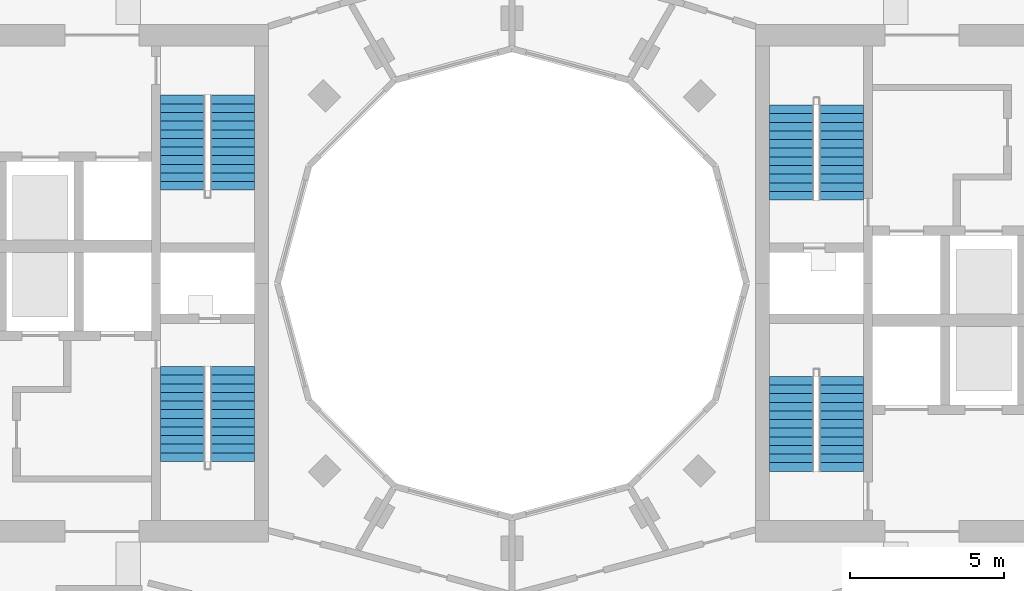
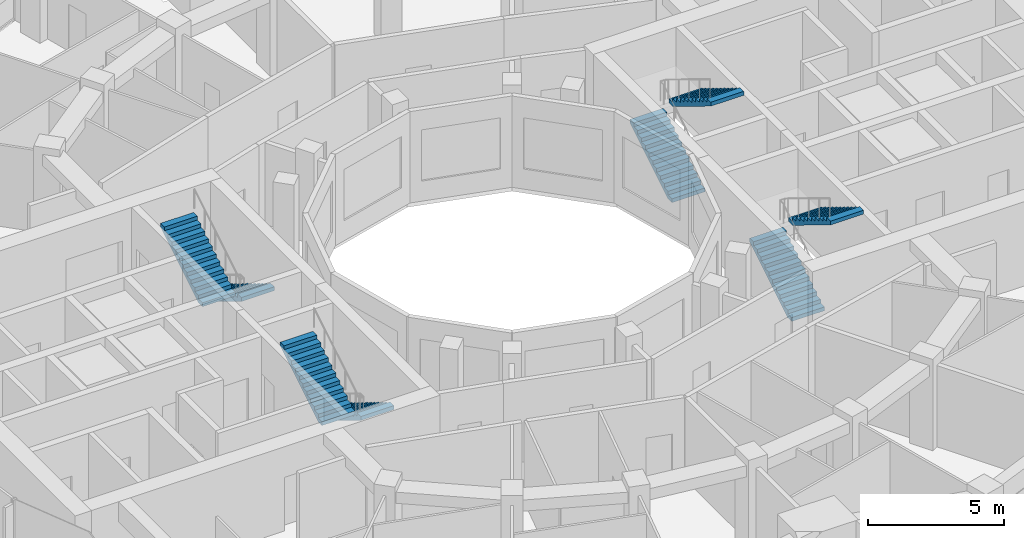
# One storey, part 13 of 15: 8 stair flights, 4 elements without a shape of their own.
"""IFC4 building model written with IfcOpenShell, lengths in metres."""

from ifc_helpers import new_model, si_unit, direction, frame, origin, place, context, subcontext, project, spatial, polyline, outline, extrude, material, layer, layer_set, type_object, element, aggregate, save


model = new_model("IFC4")

# Units and contexts
model_context = context("Model", 3, precision=1e-05, world=origin(), true_north=direction((0.0, 1.0)))
body_context = subcontext(model_context, "Body", "Model", "MODEL_VIEW")
ifc_project = project(units=[si_unit("LENGTHUNIT", "METRE"), si_unit("AREAUNIT", "SQUARE_METRE"), si_unit("VOLUMEUNIT", "CUBIC_METRE"), si_unit("PLANEANGLEUNIT", "RADIAN"), si_unit("MASSUNIT", "GRAM", prefix="KILO")], contexts=[model_context])

# Site, building, storey
site_placement = place(None, origin())
site = spatial("IfcSite", under=ifc_project, at=site_placement, CompositionType="ELEMENT")
building_placement = place(site_placement, origin())
building = spatial("IfcBuilding", under=site, at=building_placement, Name="Torre Brocal", CompositionType="ELEMENT")
storey_placement = place(building_placement, frame((0.0, 0.0, 161.800048828125)))
storey = spatial("IfcBuildingStorey", under=building, at=storey_placement, Name="L37", CompositionType="ELEMENT", Elevation=161.800048828125)

# Stair, stair flights
ifc_material_1 = material(Name="Concrete C50", Category="concrete")
stair_type = type_object("IfcStairType", Name="EXIT STAIR", PredefinedType="HALF_TURN_STAIR", material=ifc_material_1)
stair_1_placement = place(storey_placement, origin())
stair_1 = element("IfcStair", 1, at=stair_1_placement, inside=storey, type_object=stair_type, Name="EXIT STAIR ST1", PredefinedType="HALF_TURN_STAIR")
ifc_material_2 = material(Name="Concrete C50", Category="concrete")
ifc_layer = layer(ifc_material_2, 0.14990234375)
ifc_layer_set = layer_set([ifc_layer], Name="Concrete C50")
stair_flight_type = type_object("IfcStairFlightType", Name="STAIR FLIGHT", PredefinedType="STRAIGHT", material=ifc_layer_set)
stair_flight_1_placement = place(storey_placement, frame((89.050048828125, 77.699951171875, 0.0), z_axis=(0.0, 0.0, 1.0), x_axis=(0.0, 1.0, 0.0)))
stair_flight_1 = element("IfcStairFlight", 2, at=stair_flight_1_placement, type_object=stair_flight_type, Name="ST1 flight 1", NumberOfRisers=12, NumberOfTreads=11, PredefinedType="STRAIGHT", RiserHeight=0.170833333, TreadLength=0.28, context=body_context, shape_type="SweptSolid", body=[
    extrude(outline(polyline([(0.0, 0.0), (0.0, 0.1708984375), (0.280029296875, 0.1708984375), (0.280029296875, 0.341552734375), (0.56005859375, 0.341552734375), (0.56005859375, 0.512451171875), (0.840087890625, 0.512451171875), (0.840087890625, 0.683349609375), (1.1201171875, 0.683349609375), (1.1201171875, 0.854248046875), (1.39990234375, 0.854248046875), (1.39990234375, 1.02490234375), (1.679931640625, 1.02490234375), (1.679931640625, 1.19580078125), (1.9599609375, 1.19580078125), (1.9599609375, 1.36669921875), (2.239990234375, 1.36669921875), (2.239990234375, 1.53759765625), (2.52001953125, 1.53759765625), (2.52001953125, 1.708251953125), (2.800048828125, 1.708251953125), (2.800048828125, 1.879150390625), (3.080078125, 1.879150390625), (3.080078125, 2.050048828125), (3.080078125, 1.70361328125), (0.287841796875, 0.0), (0.0, 0.0)])), frame((0.0, 0.699951171875, 0.0), z_axis=(0.0, -1.0, 0.0), x_axis=(1.0, 0.0, 0.0)), (0.0, 0.0, 1.0), 1.39990234375),
])
stair_flight_2_placement = place(storey_placement, frame((90.699951171875, 80.780029296875, 2.050048828125), z_axis=(0.0, 0.0, 1.0), x_axis=(0.0, -1.0, 0.0)))
stair_flight_2 = element("IfcStairFlight", 3, at=stair_flight_2_placement, type_object=stair_flight_type, Name="ST1 flight 2", NumberOfRisers=12, NumberOfTreads=11, PredefinedType="STRAIGHT", RiserHeight=0.170833333, TreadLength=0.28, context=body_context, shape_type="SweptSolid", body=[
    extrude(outline(polyline([(0.0, 0.0), (0.0, 0.1708984375), (0.280029296875, 0.1708984375), (0.280029296875, 0.341552734375), (0.56005859375, 0.341552734375), (0.56005859375, 0.512451171875), (0.840087890625, 0.512451171875), (0.840087890625, 0.683349609375), (1.1201171875, 0.683349609375), (1.1201171875, 0.854248046875), (1.39990234375, 0.854248046875), (1.39990234375, 1.02490234375), (1.679931640625, 1.02490234375), (1.679931640625, 1.19580078125), (1.9599609375, 1.19580078125), (1.9599609375, 1.36669921875), (2.239990234375, 1.36669921875), (2.239990234375, 1.53759765625), (2.52001953125, 1.53759765625), (2.52001953125, 1.708251953125), (2.800048828125, 1.708251953125), (2.800048828125, 1.879150390625), (3.080078125, 1.879150390625), (3.080078125, 2.050048828125), (3.080078125, 1.70361328125), (0.287841796875, 0.0), (0.0, 0.0)])), frame((0.0, 0.699951171875, 0.0), z_axis=(0.0, -1.0, 0.0), x_axis=(1.0, 0.0, 0.0)), (0.0, 0.0, 1.0), 1.39990234375),
])
aggregate(stair_1, [stair_flight_1, stair_flight_2])

stair_2_placement = place(storey_placement, origin())
stair_2 = element("IfcStair", 4, at=stair_2_placement, inside=storey, type_object=stair_type, Name="EXIT STAIR ST2", PredefinedType="HALF_TURN_STAIR")
stair_flight_3_placement = place(storey_placement, frame((89.050048828125, 68.89990234375, 0.0), z_axis=(0.0, 0.0, 1.0), x_axis=(0.0, 1.0, 0.0)))
stair_flight_3 = element("IfcStairFlight", 5, at=stair_flight_3_placement, type_object=stair_flight_type, Name="ST2 flight 1", NumberOfRisers=12, NumberOfTreads=11, PredefinedType="STRAIGHT", RiserHeight=0.170833333, TreadLength=0.28, context=body_context, shape_type="SweptSolid", body=[
    extrude(outline(polyline([(0.0, 0.0), (0.0, 0.1708984375), (0.280029296875, 0.1708984375), (0.280029296875, 0.341552734375), (0.56005859375, 0.341552734375), (0.56005859375, 0.512451171875), (0.840087890625, 0.512451171875), (0.840087890625, 0.683349609375), (1.1201171875, 0.683349609375), (1.1201171875, 0.854248046875), (1.39990234375, 0.854248046875), (1.39990234375, 1.02490234375), (1.679931640625, 1.02490234375), (1.679931640625, 1.19580078125), (1.9599609375, 1.19580078125), (1.9599609375, 1.36669921875), (2.239990234375, 1.36669921875), (2.239990234375, 1.53759765625), (2.52001953125, 1.53759765625), (2.52001953125, 1.708251953125), (2.800048828125, 1.708251953125), (2.800048828125, 1.879150390625), (3.080078125, 1.879150390625), (3.080078125, 2.050048828125), (3.080078125, 1.70361328125), (0.287841796875, 0.0), (0.0, 0.0)])), frame((0.0, 0.699951171875, 0.0), z_axis=(0.0, -1.0, 0.0), x_axis=(1.0, 0.0, 0.0)), (0.0, 0.0, 1.0), 1.39990234375),
])
stair_flight_4_placement = place(storey_placement, frame((90.699951171875, 71.97998046875, 2.050048828125), z_axis=(0.0, 0.0, 1.0), x_axis=(0.0, -1.0, 0.0)))
stair_flight_4 = element("IfcStairFlight", 6, at=stair_flight_4_placement, type_object=stair_flight_type, Name="ST2 flight 2", NumberOfRisers=12, NumberOfTreads=11, PredefinedType="STRAIGHT", RiserHeight=0.170833333, TreadLength=0.28, context=body_context, shape_type="SweptSolid", body=[
    extrude(outline(polyline([(0.0, 0.0), (0.0, 0.1708984375), (0.280029296875, 0.1708984375), (0.280029296875, 0.341552734375), (0.56005859375, 0.341552734375), (0.56005859375, 0.512451171875), (0.840087890625, 0.512451171875), (0.840087890625, 0.683349609375), (1.1201171875, 0.683349609375), (1.1201171875, 0.854248046875), (1.39990234375, 0.854248046875), (1.39990234375, 1.02490234375), (1.679931640625, 1.02490234375), (1.679931640625, 1.19580078125), (1.9599609375, 1.19580078125), (1.9599609375, 1.36669921875), (2.239990234375, 1.36669921875), (2.239990234375, 1.53759765625), (2.52001953125, 1.53759765625), (2.52001953125, 1.708251953125), (2.800048828125, 1.708251953125), (2.800048828125, 1.879150390625), (3.080078125, 1.879150390625), (3.080078125, 2.050048828125), (3.080078125, 1.70361328125), (0.287841796875, 0.0), (0.0, 0.0)])), frame((0.0, 0.699951171875, 0.0), z_axis=(0.0, -1.0, 0.0), x_axis=(1.0, 0.0, 0.0)), (0.0, 0.0, 1.0), 1.39990234375),
])
aggregate(stair_2, [stair_flight_3, stair_flight_4])

stair_3_placement = place(storey_placement, origin())
stair_3 = element("IfcStair", 7, at=stair_3_placement, inside=storey, type_object=stair_type, Name="EXIT STAIR ST3", PredefinedType="HALF_TURN_STAIR")
stair_flight_5_placement = place(storey_placement, frame((70.949951171875, 72.300048828125, 0.0), z_axis=(0.0, 0.0, 1.0), x_axis=(0.0, -1.0, 0.0)))
stair_flight_5 = element("IfcStairFlight", 8, at=stair_flight_5_placement, type_object=stair_flight_type, Name="ST3 flight 1", NumberOfRisers=12, NumberOfTreads=11, PredefinedType="STRAIGHT", RiserHeight=0.170833333, TreadLength=0.28, context=body_context, shape_type="SweptSolid", body=[
    extrude(outline(polyline([(0.0, 0.0), (0.0, 0.1708984375), (0.280029296875, 0.1708984375), (0.280029296875, 0.341552734375), (0.56005859375, 0.341552734375), (0.56005859375, 0.512451171875), (0.840087890625, 0.512451171875), (0.840087890625, 0.683349609375), (1.1201171875, 0.683349609375), (1.1201171875, 0.854248046875), (1.39990234375, 0.854248046875), (1.39990234375, 1.02490234375), (1.679931640625, 1.02490234375), (1.679931640625, 1.19580078125), (1.9599609375, 1.19580078125), (1.9599609375, 1.36669921875), (2.239990234375, 1.36669921875), (2.239990234375, 1.53759765625), (2.52001953125, 1.53759765625), (2.52001953125, 1.708251953125), (2.800048828125, 1.708251953125), (2.800048828125, 1.879150390625), (3.080078125, 1.879150390625), (3.080078125, 2.050048828125), (3.080078125, 1.70361328125), (0.287841796875, 0.0), (0.0, 0.0)])), frame((0.0, 0.699951171875, 0.0), z_axis=(0.0, -1.0, 0.0), x_axis=(1.0, 0.0, 0.0)), (0.0, 0.0, 1.0), 1.39990234375),
])
stair_flight_6_placement = place(storey_placement, frame((69.300048828125, 69.219970703125, 2.050048828125), z_axis=(0.0, 0.0, 1.0), x_axis=(0.0, 1.0, 0.0)))
stair_flight_6 = element("IfcStairFlight", 9, at=stair_flight_6_placement, type_object=stair_flight_type, Name="ST3 flight 2", NumberOfRisers=12, NumberOfTreads=11, PredefinedType="STRAIGHT", RiserHeight=0.170833333, TreadLength=0.28, context=body_context, shape_type="SweptSolid", body=[
    extrude(outline(polyline([(0.0, 0.0), (0.0, 0.1708984375), (0.280029296875, 0.1708984375), (0.280029296875, 0.341552734375), (0.56005859375, 0.341552734375), (0.56005859375, 0.512451171875), (0.840087890625, 0.512451171875), (0.840087890625, 0.683349609375), (1.1201171875, 0.683349609375), (1.1201171875, 0.854248046875), (1.39990234375, 0.854248046875), (1.39990234375, 1.02490234375), (1.679931640625, 1.02490234375), (1.679931640625, 1.19580078125), (1.9599609375, 1.19580078125), (1.9599609375, 1.36669921875), (2.239990234375, 1.36669921875), (2.239990234375, 1.53759765625), (2.52001953125, 1.53759765625), (2.52001953125, 1.708251953125), (2.800048828125, 1.708251953125), (2.800048828125, 1.879150390625), (3.080078125, 1.879150390625), (3.080078125, 2.050048828125), (3.080078125, 1.70361328125), (0.287841796875, 0.0), (0.0, 0.0)])), frame((0.0, 0.699951171875, 0.0), z_axis=(0.0, -1.0, 0.0), x_axis=(1.0, 0.0, 0.0)), (0.0, 0.0, 1.0), 1.39990234375),
])
aggregate(stair_3, [stair_flight_5, stair_flight_6])

stair_4_placement = place(storey_placement, origin())
stair_4 = element("IfcStair", 10, at=stair_4_placement, inside=storey, type_object=stair_type, Name="EXIT STAIR ST4", PredefinedType="HALF_TURN_STAIR")
stair_flight_7_placement = place(storey_placement, frame((70.949951171875, 81.10009765625, 0.0), z_axis=(0.0, 0.0, 1.0), x_axis=(0.0, -1.0, 0.0)))
stair_flight_7 = element("IfcStairFlight", 11, at=stair_flight_7_placement, type_object=stair_flight_type, Name="ST4 flight 1", NumberOfRisers=12, NumberOfTreads=11, PredefinedType="STRAIGHT", RiserHeight=0.170833333, TreadLength=0.28, context=body_context, shape_type="SweptSolid", body=[
    extrude(outline(polyline([(0.0, 0.0), (0.0, 0.1708984375), (0.280029296875, 0.1708984375), (0.280029296875, 0.341552734375), (0.56005859375, 0.341552734375), (0.56005859375, 0.512451171875), (0.840087890625, 0.512451171875), (0.840087890625, 0.683349609375), (1.1201171875, 0.683349609375), (1.1201171875, 0.854248046875), (1.39990234375, 0.854248046875), (1.39990234375, 1.02490234375), (1.679931640625, 1.02490234375), (1.679931640625, 1.19580078125), (1.9599609375, 1.19580078125), (1.9599609375, 1.36669921875), (2.239990234375, 1.36669921875), (2.239990234375, 1.53759765625), (2.52001953125, 1.53759765625), (2.52001953125, 1.708251953125), (2.800048828125, 1.708251953125), (2.800048828125, 1.879150390625), (3.080078125, 1.879150390625), (3.080078125, 2.050048828125), (3.080078125, 1.70361328125), (0.287841796875, 0.0), (0.0, 0.0)])), frame((0.0, 0.699951171875, 0.0), z_axis=(0.0, -1.0, 0.0), x_axis=(1.0, 0.0, 0.0)), (0.0, 0.0, 1.0), 1.39990234375),
])
stair_flight_8_placement = place(storey_placement, frame((69.300048828125, 78.02001953125, 2.050048828125), z_axis=(0.0, 0.0, 1.0), x_axis=(0.0, 1.0, 0.0)))
stair_flight_8 = element("IfcStairFlight", 12, at=stair_flight_8_placement, type_object=stair_flight_type, Name="ST4 flight 2", NumberOfRisers=12, NumberOfTreads=11, PredefinedType="STRAIGHT", RiserHeight=0.170833333, TreadLength=0.28, context=body_context, shape_type="SweptSolid", body=[
    extrude(outline(polyline([(0.0, 0.0), (0.0, 0.1708984375), (0.280029296875, 0.1708984375), (0.280029296875, 0.341552734375), (0.56005859375, 0.341552734375), (0.56005859375, 0.512451171875), (0.840087890625, 0.512451171875), (0.840087890625, 0.683349609375), (1.1201171875, 0.683349609375), (1.1201171875, 0.854248046875), (1.39990234375, 0.854248046875), (1.39990234375, 1.02490234375), (1.679931640625, 1.02490234375), (1.679931640625, 1.19580078125), (1.9599609375, 1.19580078125), (1.9599609375, 1.36669921875), (2.239990234375, 1.36669921875), (2.239990234375, 1.53759765625), (2.52001953125, 1.53759765625), (2.52001953125, 1.708251953125), (2.800048828125, 1.708251953125), (2.800048828125, 1.879150390625), (3.080078125, 1.879150390625), (3.080078125, 2.050048828125), (3.080078125, 1.70361328125), (0.287841796875, 0.0), (0.0, 0.0)])), frame((0.0, 0.699951171875, 0.0), z_axis=(0.0, -1.0, 0.0), x_axis=(1.0, 0.0, 0.0)), (0.0, 0.0, 1.0), 1.39990234375),
])
aggregate(stair_4, [stair_flight_7, stair_flight_8])

save(model, "model.ifc")
